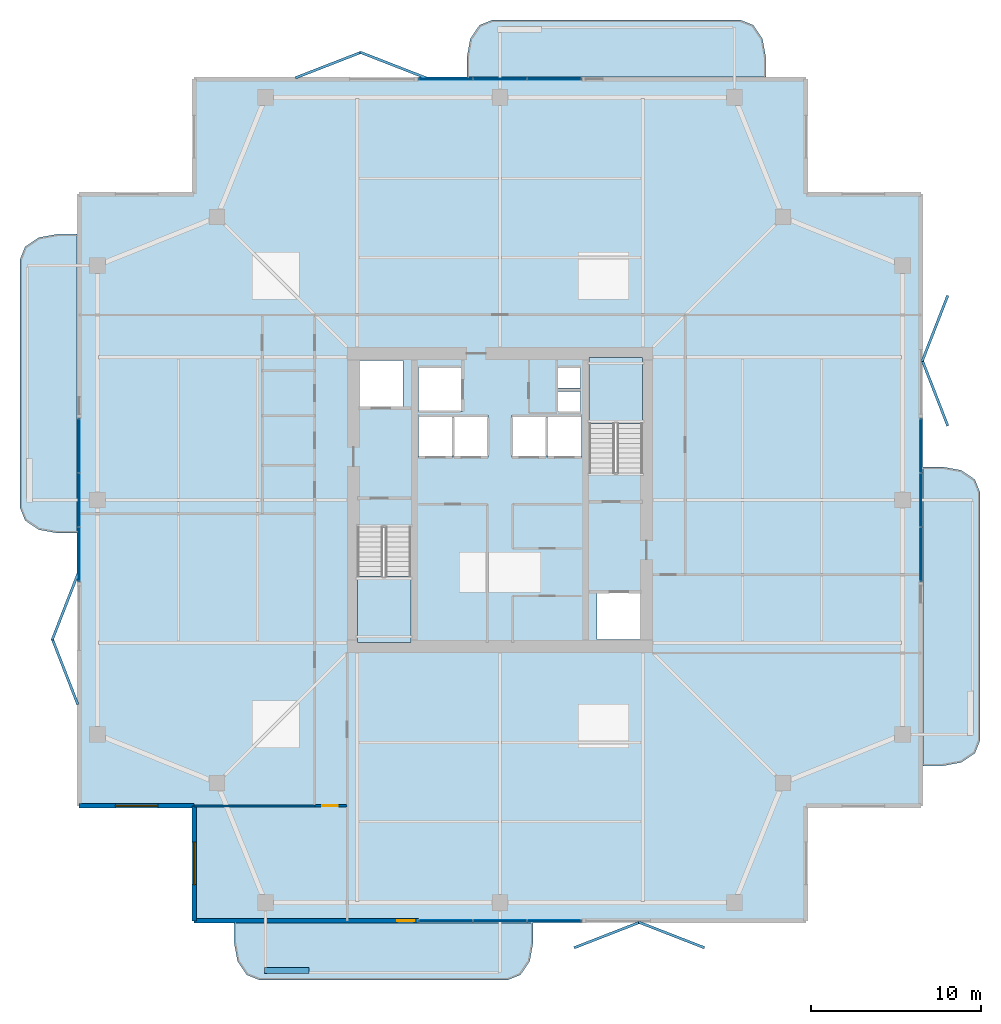
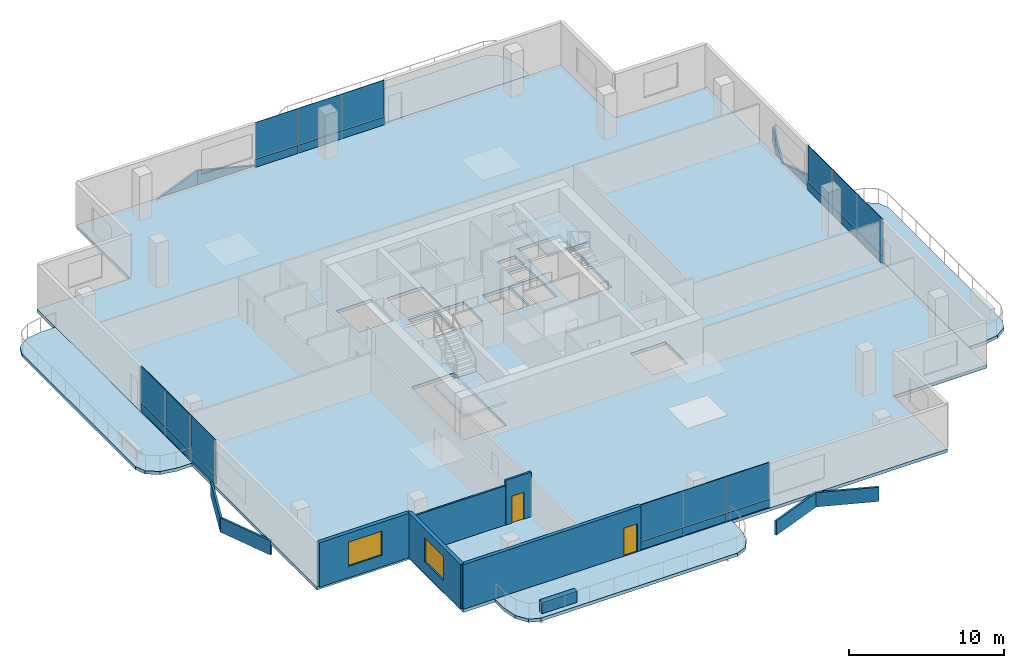
# One storey, part 17 of 23: 32 plates, 7 slabs, 6 walls, 2 doors, 2 windows, 4 openings, 6 elements without a shape of their own.
"""IFC4 building model written with IfcOpenShell, lengths in metres."""

import ifcopenshell
import ifcopenshell.guid

model = None  # the IFC model being written
_history = None  # IfcOwnerHistory: only IFC2X3 demands one
_inside = {}  # id of a spatial element -> (the spatial element, [elements in it])
_under = {}  # id of a project, library or spatial element -> (it, [spatial elements below it])
_declared = {}  # id of a project -> (the project, [libraries it declares])
_typed = {}  # id of a type object -> (the type object, [elements of that type])
_made_of = {}  # id of a material, layer set ... -> (it, [elements and type objects made of it])


def new_model(schema):
    """Start an empty IFC model of exactly this schema.

    Asked for "IFC4X3", IfcOpenShell would pick the latest addendum, in which some entities
    have other attributes; the version numbers below select the first issue.
    IFC2X3 requires an IfcOwnerHistory on every rooted entity: one is made here for all.
    """
    global model, _history
    if schema == "IFC4X3":
        model = ifcopenshell.file(schema_version=(4, 3, 0, 0))
    else:
        model = ifcopenshell.file(schema=schema)
    _inside.clear()
    _under.clear()
    _declared.clear()
    _typed.clear()
    _made_of.clear()
    _history = None
    if model.schema == "IFC2X3":
        org = make("IfcOrganization", Name="unknown")
        user = make(
            "IfcPersonAndOrganization",
            ThePerson=make("IfcPerson", FamilyName="unknown"),
            TheOrganization=org,
        )
        app = make(
            "IfcApplication",
            ApplicationDeveloper=org,
            Version="unknown",
            ApplicationFullName="unknown",
            ApplicationIdentifier="unknown",
        )
        _history = make(
            "IfcOwnerHistory",
            OwningUser=user,
            OwningApplication=app,
            ChangeAction="ADDED",
            CreationDate=0,
        )
    return model


def make(cls, **values):
    """One entity of the class cls with the attributes given. An attribute that is None is left unset."""
    return model.create_entity(
        cls, **{name: value for name, value in values.items() if value is not None}
    )


def rooted(cls, **values):
    """An entity with a GlobalId (a new one), such as an element, a storey or a relation."""
    return make(cls, GlobalId=ifcopenshell.guid.new(), OwnerHistory=_history, **values)


def si_unit(unit_type, name, prefix=None):
    """IfcSIUnit, for example si_unit("LENGTHUNIT", "METRE", prefix="MILLI")."""
    return make("IfcSIUnit", UnitType=unit_type, Prefix=prefix, Name=name)


def assignment(units):
    """IfcUnitAssignment: the units of a project."""
    return None if units is None else make("IfcUnitAssignment", Units=units)


def point(xyz):
    """IfcCartesianPoint."""
    return None if xyz is None else make("IfcCartesianPoint", Coordinates=xyz)


def direction(xyz):
    """IfcDirection."""
    return None if xyz is None else make("IfcDirection", DirectionRatios=xyz)


def frame(location, z_axis=None, x_axis=None):
    """IfcAxis2Placement3D, a coordinate frame: its origin and axes. An axis left out is left unset."""
    return make(
        "IfcAxis2Placement3D",
        Location=point(location),
        Axis=direction(z_axis),
        RefDirection=direction(x_axis),
    )


def frame_2d(location, x_axis=None):
    """IfcAxis2Placement2D, a coordinate frame in the plane: its origin and x axis."""
    return make(
        "IfcAxis2Placement2D", Location=point(location), RefDirection=direction(x_axis)
    )


def origin():
    """The frame at (0, 0, 0) with its axes left unset."""
    return frame((0.0, 0.0, 0.0))


def origin_2d():
    """The frame at (0, 0) in the plane with its x axis left unset."""
    return frame_2d((0.0, 0.0))


def place(relative_to, where):
    """IfcLocalPlacement: puts the frame where relative to a parent placement (None: the world)."""
    return make(
        "IfcLocalPlacement", PlacementRelTo=relative_to, RelativePlacement=where
    )


def context(
    kind, dimensions, precision=None, world=None, true_north=None, identifier=None
):
    """IfcGeometricRepresentationContext, for example the 3D "Model" context."""
    return make(
        "IfcGeometricRepresentationContext",
        ContextIdentifier=identifier,
        ContextType=kind,
        CoordinateSpaceDimension=dimensions,
        Precision=precision,
        WorldCoordinateSystem=world,
        TrueNorth=true_north,
    )


def subcontext(parent, identifier, kind, view, scale=None):
    """IfcGeometricRepresentationSubContext, for example "Body" below "Model"."""
    return make(
        "IfcGeometricRepresentationSubContext",
        ContextIdentifier=identifier,
        ContextType=kind,
        ParentContext=parent,
        TargetScale=scale,
        TargetView=view,
    )


def project(units=None, contexts=None):
    """IfcProject with its units and contexts."""
    return rooted(
        "IfcProject",
        Name="project",
        RepresentationContexts=contexts,
        UnitsInContext=assignment(units),
    )


def spatial(cls, under=None, at=None, **own):
    """A site, building, storey or space (cls), placed at a placement, below another one or the project."""
    s = rooted(cls, ObjectPlacement=at, **own)
    if under is not None:
        _under.setdefault(under.id(), (under, []))[1].append(s)
    return s


def polyline(points):
    """IfcPolyline through the points."""
    return make("IfcPolyline", Points=[point(p) for p in points])


def profile(cls, at=None, kind="AREA", **sizes):
    """A parametric profile (cls). Its sizes go by their IFC names, for example OverallWidth=200.0."""
    return make(cls, ProfileType=kind, Position=at, **sizes)


def rectangle(**sizes):
    """IfcRectangleProfileDef."""
    return profile("IfcRectangleProfileDef", **sizes)


def outline(outer, holes=None, kind="AREA"):
    """IfcArbitraryClosedProfileDef: a profile drawn as a closed curve; with holes, ...WithVoids."""
    if holes is None:
        return make("IfcArbitraryClosedProfileDef", ProfileType=kind, OuterCurve=outer)
    return make(
        "IfcArbitraryProfileDefWithVoids",
        ProfileType=kind,
        OuterCurve=outer,
        InnerCurves=holes,
    )


def extrude(swept, where, along, depth):
    """IfcExtrudedAreaSolid: the profile swept, set in the frame where, extruded along a direction by depth."""
    return make(
        "IfcExtrudedAreaSolid",
        SweptArea=swept,
        Position=where,
        ExtrudedDirection=direction(along),
        Depth=depth,
    )


def shape(context_of_items, identifier, shape_type, items):
    """IfcShapeRepresentation: the items that make up one representation, for example the "Body"."""
    return make(
        "IfcShapeRepresentation",
        ContextOfItems=context_of_items,
        RepresentationIdentifier=identifier,
        RepresentationType=shape_type,
        Items=items,
    )


def material(Name=None, Category=None):
    """IfcMaterial."""
    return make("IfcMaterial", Name=Name, Category=Category)


def layer(
    of_material, thickness, ventilated=None, Name=None, Category=None, Priority=None
):
    """IfcMaterialLayer: one layer of a wall or slab, of a material (None: an air gap)."""
    return make(
        "IfcMaterialLayer",
        Material=of_material,
        LayerThickness=thickness,
        IsVentilated=ventilated,
        Name=Name,
        Category=Category,
        Priority=Priority,
    )


def layer_set(layers, Name=None):
    """IfcMaterialLayerSet."""
    return make("IfcMaterialLayerSet", MaterialLayers=layers, LayerSetName=Name)


def made_of(thing, what):
    """Note that an element or type object is made of a material, layer set ...; save() writes the relation."""
    if what is not None:
        _made_of.setdefault(what.id(), (what, []))[1].append(thing)
    return thing


def type_object(cls, material=None, **own):
    """A type object (cls), such as IfcWallType, which elements share."""
    return made_of(rooted(cls, **own), material)


def element(
    cls,
    number,
    at=None,
    inside=None,
    cuts=None,
    type_object=None,
    material=None,
    context=None,
    identifier="Body",
    shape_type=None,
    held_by="IfcProductDefinitionShape",
    body=None,
    shapes=None,
    **own,
):
    """One element of the class cls, such as IfcWall. Its Tag is "e" and its number.

    at: its placement. inside: the storey or other place that contains it. cuts: it is an
    opening in that element (IfcRelVoidsElement). A single representation is given by context,
    identifier, shape_type and body (its items); several are given by shapes. held_by: the class
    of the entity that holds the representations. save() writes the other relations.
    """
    e = rooted(cls, Tag="e%d" % number, ObjectPlacement=at, **own)
    if body is not None:
        shapes = [shape(context, identifier, shape_type, body)]
    if shapes is not None:
        e.Representation = make(held_by, Representations=shapes)
    if inside is not None:
        _inside.setdefault(inside.id(), (inside, []))[1].append(e)
    if cuts is not None:
        rooted(
            "IfcRelVoidsElement", RelatingBuildingElement=cuts, RelatedOpeningElement=e
        )
    if type_object is not None:
        _typed.setdefault(type_object.id(), (type_object, []))[1].append(e)
    return made_of(e, material)


def fill(opening, filler):
    """IfcRelFillsElement: the door or window that sits in an opening."""
    return rooted(
        "IfcRelFillsElement",
        RelatingOpeningElement=opening,
        RelatedBuildingElement=filler,
    )


def aggregate(whole, parts):
    """IfcRelAggregates: a whole, such as a stair, and the parts it consists of."""
    return rooted("IfcRelAggregates", RelatingObject=whole, RelatedObjects=parts)


def save(model, path):
    """Write the relations noted so far, then the file.

    IfcRelAggregates (storeys below a building ...), IfcRelContainedInSpatialStructure (elements
    in a storey), IfcRelDefinesByType, IfcRelAssociatesMaterial and IfcRelDeclares: one each for
    every whole, place, type object, material and project.
    """
    for whole, parts in _under.values():
        aggregate(whole, parts)
    for where, things in _inside.values():
        rooted(
            "IfcRelContainedInSpatialStructure",
            RelatedElements=things,
            RelatingStructure=where,
        )
    for kind, things in _typed.values():
        rooted("IfcRelDefinesByType", RelatedObjects=things, RelatingType=kind)
    for what, things in _made_of.values():
        rooted("IfcRelAssociatesMaterial", RelatedObjects=things, RelatingMaterial=what)
    for by, libraries in _declared.values():
        rooted("IfcRelDeclares", RelatingContext=by, RelatedDefinitions=libraries)
    model.write(path)


model = new_model("IFC4")

# Units and contexts
model_context = context("Model", 3, precision=1e-05, world=origin(), true_north=direction((0.0, 1.0)))
body_context = subcontext(model_context, "Body", "Model", "MODEL_VIEW")
ifc_project = project(units=[si_unit("LENGTHUNIT", "METRE"), si_unit("AREAUNIT", "SQUARE_METRE"), si_unit("VOLUMEUNIT", "CUBIC_METRE"), si_unit("PLANEANGLEUNIT", "RADIAN"), si_unit("MASSUNIT", "GRAM", prefix="KILO")], contexts=[model_context])

# Site, building, storey
site_placement = place(None, origin())
site = spatial("IfcSite", under=ifc_project, at=site_placement, CompositionType="ELEMENT")
building_placement = place(site_placement, origin())
building = spatial("IfcBuilding", under=site, at=building_placement, Name="Belovzor Exchange Tower", CompositionType="ELEMENT")
storey_placement = place(building_placement, frame((0.0, 0.0, 276.60009765625)))
storey = spatial("IfcBuildingStorey", under=building, at=storey_placement, Name="L69", CompositionType="ELEMENT", Elevation=276.60009765625)

# Slab
ifc_material_1 = material(Name="Concrete C40/50", Category="concrete")
ifc_layer_1 = layer(ifc_material_1, 0.25)
ifc_layer_set_1 = layer_set([ifc_layer_1], Name="Concrete C40/50")
slab_type_1 = type_object("IfcSlabType", Name="Composite Concrete Floor Deck Slab 250", PredefinedType="FLOOR", material=ifc_layer_set_1)
slab_1_placement = place(storey_placement, frame((0.0, 0.0, -0.25)))
element("IfcSlab", 1, at=slab_1_placement, inside=storey, type_object=slab_type_1, Name="SL-F250 Structural Slab L69", PredefinedType="FLOOR", context=body_context, shape_type="SweptSolid", body=[
    extrude(outline(polyline([(10.800048828125, 3.89990234375), (46.800048828125, 3.89990234375), (46.800048828125, 10.800048828125), (53.699951171875, 10.800048828125), (53.699951171875, 46.800048828125), (46.800048828125, 46.800048828125), (46.800048828125, 53.699951171875), (10.800048828125, 53.699951171875), (10.800048828125, 46.800048828125), (3.89990234375, 46.800048828125), (3.89990234375, 10.800048828125), (10.800048828125, 10.800048828125), (10.800048828125, 3.89990234375)]), holes=[polyline([(20.39990234375, 27.175048828125), (20.39990234375, 20.39990234375), (23.550048828125, 20.39990234375), (23.550048828125, 27.175048828125), (20.39990234375, 27.175048828125)]), polyline([(37.199951171875, 30.425048828125), (37.199951171875, 37.199951171875), (34.050048828125, 37.199951171875), (34.050048828125, 30.425048828125), (37.199951171875, 30.425048828125)]), polyline([(20.5, 34.199951171875), (23.10009765625, 34.199951171875), (23.10009765625, 37.0), (20.5, 37.0), (20.5, 34.199951171875)]), polyline([(34.5, 20.60009765625), (37.10009765625, 20.60009765625), (37.10009765625, 23.39990234375), (34.5, 23.39990234375), (34.5, 20.60009765625)]), polyline([(24.0, 34.0), (26.60009765625, 34.0), (26.60009765625, 36.60009765625), (24.0, 36.60009765625), (24.0, 34.0)]), polyline([(24.0, 31.300048828125), (26.0, 31.300048828125), (26.0, 33.800048828125), (24.0, 33.800048828125), (24.0, 31.300048828125)]), polyline([(26.10009765625, 31.300048828125), (28.10009765625, 31.300048828125), (28.10009765625, 33.800048828125), (26.10009765625, 33.800048828125), (26.10009765625, 31.300048828125)]), polyline([(29.5, 31.300048828125), (31.5, 31.300048828125), (31.5, 33.800048828125), (29.5, 33.800048828125), (29.5, 31.300048828125)]), polyline([(31.60009765625, 31.300048828125), (33.60009765625, 31.300048828125), (33.60009765625, 33.800048828125), (31.60009765625, 33.800048828125), (31.60009765625, 31.300048828125)]), polyline([(32.199951171875, 34.0), (33.550048828125, 34.0), (33.550048828125, 35.199951171875), (32.199951171875, 35.199951171875), (32.199951171875, 34.0)]), polyline([(32.199951171875, 35.39990234375), (33.550048828125, 35.39990234375), (33.550048828125, 36.60009765625), (32.199951171875, 36.60009765625), (32.199951171875, 35.39990234375)])]), origin(), (0.0, 0.0, 1.0), 0.25),
])

# Curtain wall, plates
ifc_material_2 = material(Name="Anodised Aluminium Framing", Category="aluminium")
ifc_layer_2 = layer(ifc_material_2, 0.179931640625)
ifc_layer_set_2 = layer_set([ifc_layer_2], Name="Anodised Aluminium Framing")
curtain_wall_type = type_object("IfcCurtainWallType", Name="Recessed Loggia Low-Iron Triple-Glazed Curtain Wall", PredefinedType="NOTDEFINED", material=ifc_layer_set_2)
curtain_wall_1_placement = place(storey_placement, origin())
curtain_wall_1 = element("IfcCurtainWall", 2, at=curtain_wall_1_placement, inside=storey, type_object=curtain_wall_type, Name="CW3 Recessed Loggia Low-Iron Triple-Glazed Curtain Wall L69", PredefinedType="NOTDEFINED")
ifc_material_3 = material(Name="Solar-Control Triple Glazing", Category="glass")
ifc_layer_3 = layer(ifc_material_3, 0.0439453125)
ifc_layer_set_3 = layer_set([ifc_layer_3], Name="Solar-Control Triple Glazing")
plate_type_1 = type_object("IfcPlateType", Name="Insulated Solar Glazing Curtain Panel 44", PredefinedType="CURTAIN_PANEL", material=ifc_layer_set_3)
plate_1_placement = place(storey_placement, frame((32.0, 4.030029296875, 0.6318359375), z_axis=(0.0, 0.0, 1.0), x_axis=(-1.0, 0.0, 0.0)))
plate_1 = element("IfcPlate", 3, at=plate_1_placement, type_object=plate_type_1, Name="GLZ-44 Glazed Curtain Panel 1", PredefinedType="CURTAIN_PANEL", context=body_context, shape_type="SweptSolid", body=[
    extrude(rectangle(XDim=3.18408203125, YDim=0.0439453125, at=origin_2d()), origin(), (0.0, 0.0, 1.0), 2.867919921875),
])
plate_2_placement = place(storey_placement, frame((28.800048828125, 4.030029296875, 0.6318359375), z_axis=(0.0, 0.0, 1.0), x_axis=(-1.0, 0.0, 0.0)))
plate_2 = element("IfcPlate", 4, at=plate_2_placement, type_object=plate_type_1, Name="GLZ-44 Glazed Curtain Panel 2", PredefinedType="CURTAIN_PANEL", context=body_context, shape_type="SweptSolid", body=[
    extrude(rectangle(XDim=3.18408203125, YDim=0.0439453125, at=origin_2d()), origin(), (0.0, 0.0, 1.0), 2.867919921875),
])
plate_3_placement = place(storey_placement, frame((25.60009765625, 4.030029296875, 0.6318359375), z_axis=(0.0, 0.0, 1.0), x_axis=(-1.0, 0.0, 0.0)))
plate_3 = element("IfcPlate", 5, at=plate_3_placement, type_object=plate_type_1, Name="GLZ-44 Glazed Curtain Panel 3", PredefinedType="CURTAIN_PANEL", context=body_context, shape_type="SweptSolid", body=[
    extrude(rectangle(XDim=3.18408203125, YDim=0.0439453125, at=origin_2d()), origin(), (0.0, 0.0, 1.0), 2.867919921875),
])

curtain_wall_2_placement = place(storey_placement, origin())
curtain_wall_2 = element("IfcCurtainWall", 6, at=curtain_wall_2_placement, inside=storey, type_object=curtain_wall_type, Name="CW3 Recessed Loggia Low-Iron Triple-Glazed Curtain Wall L69", PredefinedType="NOTDEFINED")
plate_4_placement = place(storey_placement, frame((25.60009765625, 53.570068359375, 0.6318359375), z_axis=(0.0, 0.0, 1.0), x_axis=(1.0, 0.0, 0.0)))
plate_4 = element("IfcPlate", 7, at=plate_4_placement, type_object=plate_type_1, Name="GLZ-44 Glazed Curtain Panel 1", PredefinedType="CURTAIN_PANEL", context=body_context, shape_type="SweptSolid", body=[
    extrude(rectangle(XDim=3.18408203125, YDim=0.0439453125, at=origin_2d()), origin(), (0.0, 0.0, 1.0), 2.867919921875),
])
plate_5_placement = place(storey_placement, frame((28.800048828125, 53.570068359375, 0.6318359375), z_axis=(0.0, 0.0, 1.0), x_axis=(1.0, 0.0, 0.0)))
plate_5 = element("IfcPlate", 8, at=plate_5_placement, type_object=plate_type_1, Name="GLZ-44 Glazed Curtain Panel 2", PredefinedType="CURTAIN_PANEL", context=body_context, shape_type="SweptSolid", body=[
    extrude(rectangle(XDim=3.18408203125, YDim=0.0439453125, at=origin_2d()), origin(), (0.0, 0.0, 1.0), 2.867919921875),
])
plate_6_placement = place(storey_placement, frame((32.0, 53.570068359375, 0.6318359375), z_axis=(0.0, 0.0, 1.0), x_axis=(1.0, 0.0, 0.0)))
plate_6 = element("IfcPlate", 9, at=plate_6_placement, type_object=plate_type_1, Name="GLZ-44 Glazed Curtain Panel 3", PredefinedType="CURTAIN_PANEL", context=body_context, shape_type="SweptSolid", body=[
    extrude(rectangle(XDim=3.18408203125, YDim=0.0439453125, at=origin_2d()), origin(), (0.0, 0.0, 1.0), 2.867919921875),
])

curtain_wall_3_placement = place(storey_placement, origin())
curtain_wall_3 = element("IfcCurtainWall", 10, at=curtain_wall_3_placement, inside=storey, type_object=curtain_wall_type, Name="CW3 Recessed Loggia Low-Iron Triple-Glazed Curtain Wall L69", PredefinedType="NOTDEFINED")
plate_7_placement = place(storey_placement, frame((4.030029296875, 25.60009765625, 0.6318359375), z_axis=(0.0, 0.0, 1.0), x_axis=(0.0, 1.0, 0.0)))
plate_7 = element("IfcPlate", 11, at=plate_7_placement, type_object=plate_type_1, Name="GLZ-44 Glazed Curtain Panel 1", PredefinedType="CURTAIN_PANEL", context=body_context, shape_type="SweptSolid", body=[
    extrude(rectangle(XDim=3.18408203125, YDim=0.0439453125, at=origin_2d()), origin(), (0.0, 0.0, 1.0), 2.867919921875),
])
plate_8_placement = place(storey_placement, frame((4.030029296875, 28.800048828125, 0.6318359375), z_axis=(0.0, 0.0, 1.0), x_axis=(0.0, 1.0, 0.0)))
plate_8 = element("IfcPlate", 12, at=plate_8_placement, type_object=plate_type_1, Name="GLZ-44 Glazed Curtain Panel 2", PredefinedType="CURTAIN_PANEL", context=body_context, shape_type="SweptSolid", body=[
    extrude(rectangle(XDim=3.18408203125, YDim=0.0439453125, at=origin_2d()), origin(), (0.0, 0.0, 1.0), 2.867919921875),
])
plate_9_placement = place(storey_placement, frame((4.030029296875, 32.0, 0.6318359375), z_axis=(0.0, 0.0, 1.0), x_axis=(0.0, 1.0, 0.0)))
plate_9 = element("IfcPlate", 13, at=plate_9_placement, type_object=plate_type_1, Name="GLZ-44 Glazed Curtain Panel 3", PredefinedType="CURTAIN_PANEL", context=body_context, shape_type="SweptSolid", body=[
    extrude(rectangle(XDim=3.18408203125, YDim=0.0439453125, at=origin_2d()), origin(), (0.0, 0.0, 1.0), 2.867919921875),
])

curtain_wall_4_placement = place(storey_placement, origin())
curtain_wall_4 = element("IfcCurtainWall", 14, at=curtain_wall_4_placement, inside=storey, type_object=curtain_wall_type, Name="CW3 Recessed Loggia Low-Iron Triple-Glazed Curtain Wall L69", PredefinedType="NOTDEFINED")
plate_10_placement = place(storey_placement, frame((53.570068359375, 32.0, 0.6318359375), z_axis=(0.0, 0.0, 1.0), x_axis=(0.0, -1.0, 0.0)))
plate_10 = element("IfcPlate", 15, at=plate_10_placement, type_object=plate_type_1, Name="GLZ-44 Glazed Curtain Panel 1", PredefinedType="CURTAIN_PANEL", context=body_context, shape_type="SweptSolid", body=[
    extrude(rectangle(XDim=3.18408203125, YDim=0.0439453125, at=origin_2d()), origin(), (0.0, 0.0, 1.0), 2.867919921875),
])
plate_11_placement = place(storey_placement, frame((53.570068359375, 28.800048828125, 0.6318359375), z_axis=(0.0, 0.0, 1.0), x_axis=(0.0, -1.0, 0.0)))
plate_11 = element("IfcPlate", 16, at=plate_11_placement, type_object=plate_type_1, Name="GLZ-44 Glazed Curtain Panel 2", PredefinedType="CURTAIN_PANEL", context=body_context, shape_type="SweptSolid", body=[
    extrude(rectangle(XDim=3.18408203125, YDim=0.0439453125, at=origin_2d()), origin(), (0.0, 0.0, 1.0), 2.867919921875),
])
plate_12_placement = place(storey_placement, frame((53.570068359375, 25.60009765625, 0.6318359375), z_axis=(0.0, 0.0, 1.0), x_axis=(0.0, -1.0, 0.0)))
plate_12 = element("IfcPlate", 17, at=plate_12_placement, type_object=plate_type_1, Name="GLZ-44 Glazed Curtain Panel 3", PredefinedType="CURTAIN_PANEL", context=body_context, shape_type="SweptSolid", body=[
    extrude(rectangle(XDim=3.18408203125, YDim=0.0439453125, at=origin_2d()), origin(), (0.0, 0.0, 1.0), 2.867919921875),
])

# Stair, slab
ifc_material_4 = material(Name="Concrete C40/50", Category="concrete")
stair_type = type_object("IfcStairType", Name="Reinforced Concrete Dogleg Escape Stair 1350", PredefinedType="HALF_TURN_STAIR", material=ifc_material_4)
stair_1_placement = place(storey_placement, origin())
stair_1 = element("IfcStair", 18, at=stair_1_placement, inside=storey, type_object=stair_type, Name="L69 ST-1", PredefinedType="HALF_TURN_STAIR")
ifc_material_5 = material(Name="Concrete C40/50", Category="concrete")
ifc_layer_4 = layer(ifc_material_5, 0.199951171875)
ifc_layer_set_4 = layer_set([ifc_layer_4], Name="Concrete C40/50")
slab_type_2 = type_object("IfcSlabType", Name="Reinforced Concrete Stair Half-Landing Slab 200", PredefinedType="LANDING", material=ifc_layer_set_4)
slab_2_placement = place(storey_placement, frame((0.0, 0.0, 1.6748046875)))
slab_2 = element("IfcSlab", 19, at=slab_2_placement, type_object=slab_type_2, Name="ST-1 landing 1", PredefinedType="LANDING", context=body_context, shape_type="SweptSolid", body=[
    extrude(outline(polyline([(20.39990234375, 24.300048828125), (20.39990234375, 20.39990234375), (23.550048828125, 20.39990234375), (23.550048828125, 24.300048828125), (20.39990234375, 24.300048828125)])), origin(), (0.0, 0.0, 1.0), 0.2001953125),
])
aggregate(stair_1, [slab_2])

stair_2_placement = place(storey_placement, origin())
stair_2 = element("IfcStair", 20, at=stair_2_placement, inside=storey, type_object=stair_type, Name="L69 ST-2", PredefinedType="HALF_TURN_STAIR")
slab_3_placement = place(storey_placement, frame((0.0, 0.0, 1.6748046875)))
slab_3 = element("IfcSlab", 21, at=slab_3_placement, type_object=slab_type_2, Name="ST-2 landing 1", PredefinedType="LANDING", context=body_context, shape_type="SweptSolid", body=[
    extrude(outline(polyline([(37.199951171875, 33.300048828125), (37.199951171875, 37.199951171875), (34.050048828125, 37.199951171875), (34.050048828125, 33.300048828125), (37.199951171875, 33.300048828125)])), origin(), (0.0, 0.0, 1.0), 0.2001953125),
])
aggregate(stair_2, [slab_3])

# Plate
ifc_material_6 = material(Name="Extruded Architectural Terracotta", Category="masonry")
ifc_layer_5 = layer(ifc_material_6, 0.090087890625)
ifc_layer_set_5 = layer_set([ifc_layer_5], Name="Extruded Architectural Terracotta")
plate_type_2 = type_object("IfcPlateType", Name="Terracotta Shadow-Box Spandrel Panel 90", PredefinedType="CURTAIN_PANEL", material=ifc_layer_set_5)
plate_13_placement = place(storey_placement, frame((32.0, 4.030029296875, 0.0), z_axis=(0.0, 0.0, 1.0), x_axis=(-1.0, 0.0, 0.0)))
plate_13 = element("IfcPlate", 22, at=plate_13_placement, type_object=plate_type_2, Name="SPD-90 Spandrel Panel 1", PredefinedType="CURTAIN_PANEL", context=body_context, shape_type="SweptSolid", body=[
    extrude(rectangle(XDim=3.18408203125, YDim=0.090087890625, at=origin_2d()), origin(), (0.0, 0.0, 1.0), 0.6279296875),
])

plate_14_placement = place(storey_placement, frame((28.800048828125, 4.030029296875, 0.0), z_axis=(0.0, 0.0, 1.0), x_axis=(-1.0, 0.0, 0.0)))
plate_14 = element("IfcPlate", 23, at=plate_14_placement, type_object=plate_type_2, Name="SPD-90 Spandrel Panel 2", PredefinedType="CURTAIN_PANEL", context=body_context, shape_type="SweptSolid", body=[
    extrude(rectangle(XDim=3.18408203125, YDim=0.090087890625, at=origin_2d()), origin(), (0.0, 0.0, 1.0), 0.6279296875),
])

plate_15_placement = place(storey_placement, frame((25.60009765625, 4.030029296875, 0.0), z_axis=(0.0, 0.0, 1.0), x_axis=(-1.0, 0.0, 0.0)))
plate_15 = element("IfcPlate", 24, at=plate_15_placement, type_object=plate_type_2, Name="SPD-90 Spandrel Panel 3", PredefinedType="CURTAIN_PANEL", context=body_context, shape_type="SweptSolid", body=[
    extrude(rectangle(XDim=3.18408203125, YDim=0.090087890625, at=origin_2d()), origin(), (0.0, 0.0, 1.0), 0.6279296875),
])

aggregate(curtain_wall_1, [plate_13, plate_1, plate_14, plate_2, plate_15, plate_3])

plate_16_placement = place(storey_placement, frame((25.60009765625, 53.570068359375, 0.0), z_axis=(0.0, 0.0, 1.0), x_axis=(1.0, 0.0, 0.0)))
plate_16 = element("IfcPlate", 25, at=plate_16_placement, type_object=plate_type_2, Name="SPD-90 Spandrel Panel 1", PredefinedType="CURTAIN_PANEL", context=body_context, shape_type="SweptSolid", body=[
    extrude(rectangle(XDim=3.18408203125, YDim=0.090087890625, at=origin_2d()), origin(), (0.0, 0.0, 1.0), 0.6279296875),
])

plate_17_placement = place(storey_placement, frame((28.800048828125, 53.570068359375, 0.0), z_axis=(0.0, 0.0, 1.0), x_axis=(1.0, 0.0, 0.0)))
plate_17 = element("IfcPlate", 26, at=plate_17_placement, type_object=plate_type_2, Name="SPD-90 Spandrel Panel 2", PredefinedType="CURTAIN_PANEL", context=body_context, shape_type="SweptSolid", body=[
    extrude(rectangle(XDim=3.18408203125, YDim=0.090087890625, at=origin_2d()), origin(), (0.0, 0.0, 1.0), 0.6279296875),
])

plate_18_placement = place(storey_placement, frame((32.0, 53.570068359375, 0.0), z_axis=(0.0, 0.0, 1.0), x_axis=(1.0, 0.0, 0.0)))
plate_18 = element("IfcPlate", 27, at=plate_18_placement, type_object=plate_type_2, Name="SPD-90 Spandrel Panel 3", PredefinedType="CURTAIN_PANEL", context=body_context, shape_type="SweptSolid", body=[
    extrude(rectangle(XDim=3.18408203125, YDim=0.090087890625, at=origin_2d()), origin(), (0.0, 0.0, 1.0), 0.6279296875),
])

aggregate(curtain_wall_2, [plate_16, plate_4, plate_17, plate_5, plate_18, plate_6])

plate_19_placement = place(storey_placement, frame((4.030029296875, 25.60009765625, 0.0), z_axis=(0.0, 0.0, 1.0), x_axis=(0.0, 1.0, 0.0)))
plate_19 = element("IfcPlate", 28, at=plate_19_placement, type_object=plate_type_2, Name="SPD-90 Spandrel Panel 1", PredefinedType="CURTAIN_PANEL", context=body_context, shape_type="SweptSolid", body=[
    extrude(rectangle(XDim=3.18408203125, YDim=0.090087890625, at=origin_2d()), origin(), (0.0, 0.0, 1.0), 0.6279296875),
])

plate_20_placement = place(storey_placement, frame((4.030029296875, 28.800048828125, 0.0), z_axis=(0.0, 0.0, 1.0), x_axis=(0.0, 1.0, 0.0)))
plate_20 = element("IfcPlate", 29, at=plate_20_placement, type_object=plate_type_2, Name="SPD-90 Spandrel Panel 2", PredefinedType="CURTAIN_PANEL", context=body_context, shape_type="SweptSolid", body=[
    extrude(rectangle(XDim=3.18408203125, YDim=0.090087890625, at=origin_2d()), origin(), (0.0, 0.0, 1.0), 0.6279296875),
])

plate_21_placement = place(storey_placement, frame((4.030029296875, 32.0, 0.0), z_axis=(0.0, 0.0, 1.0), x_axis=(0.0, 1.0, 0.0)))
plate_21 = element("IfcPlate", 30, at=plate_21_placement, type_object=plate_type_2, Name="SPD-90 Spandrel Panel 3", PredefinedType="CURTAIN_PANEL", context=body_context, shape_type="SweptSolid", body=[
    extrude(rectangle(XDim=3.18408203125, YDim=0.090087890625, at=origin_2d()), origin(), (0.0, 0.0, 1.0), 0.6279296875),
])

aggregate(curtain_wall_3, [plate_19, plate_7, plate_20, plate_8, plate_21, plate_9])

plate_22_placement = place(storey_placement, frame((53.570068359375, 32.0, 0.0), z_axis=(0.0, 0.0, 1.0), x_axis=(0.0, -1.0, 0.0)))
plate_22 = element("IfcPlate", 31, at=plate_22_placement, type_object=plate_type_2, Name="SPD-90 Spandrel Panel 1", PredefinedType="CURTAIN_PANEL", context=body_context, shape_type="SweptSolid", body=[
    extrude(rectangle(XDim=3.18408203125, YDim=0.090087890625, at=origin_2d()), origin(), (0.0, 0.0, 1.0), 0.6279296875),
])

plate_23_placement = place(storey_placement, frame((53.570068359375, 28.800048828125, 0.0), z_axis=(0.0, 0.0, 1.0), x_axis=(0.0, -1.0, 0.0)))
plate_23 = element("IfcPlate", 32, at=plate_23_placement, type_object=plate_type_2, Name="SPD-90 Spandrel Panel 2", PredefinedType="CURTAIN_PANEL", context=body_context, shape_type="SweptSolid", body=[
    extrude(rectangle(XDim=3.18408203125, YDim=0.090087890625, at=origin_2d()), origin(), (0.0, 0.0, 1.0), 0.6279296875),
])

plate_24_placement = place(storey_placement, frame((53.570068359375, 25.60009765625, 0.0), z_axis=(0.0, 0.0, 1.0), x_axis=(0.0, -1.0, 0.0)))
plate_24 = element("IfcPlate", 33, at=plate_24_placement, type_object=plate_type_2, Name="SPD-90 Spandrel Panel 3", PredefinedType="CURTAIN_PANEL", context=body_context, shape_type="SweptSolid", body=[
    extrude(rectangle(XDim=3.18408203125, YDim=0.090087890625, at=origin_2d()), origin(), (0.0, 0.0, 1.0), 0.6279296875),
])

aggregate(curtain_wall_4, [plate_22, plate_10, plate_23, plate_11, plate_24, plate_12])

# Slabs
ifc_material_7 = material(Name="Concrete C40/50", Category="concrete")
ifc_layer_6 = layer(ifc_material_7, 0.25)
ifc_layer_set_6 = layer_set([ifc_layer_6], Name="Concrete C40/50")
slab_type_3 = type_object("IfcSlabType", Name="Thermally Broken Planted Balcony Slab 250", PredefinedType="FLOOR", material=ifc_layer_set_6)
slab_4_placement = place(storey_placement, frame((0.0, 0.0, -0.25)))
element("IfcSlab", 34, at=slab_4_placement, inside=storey, type_object=slab_type_3, Name="SL-BAL220 Planted Balcony Loggia L69 South", PredefinedType="FLOOR", context=body_context, shape_type="SweptSolid", body=[
    extrude(outline(polyline([(13.14990234375, 3.9150390625), (13.14990234375, 2.75), (13.35107421875, 1.64990234375), (13.89990234375, 0.844970703125), (14.64990234375, 0.550048828125), (29.25, 0.550048828125), (30.0, 0.844970703125), (30.549072265625, 1.64990234375), (30.75, 2.75), (30.75, 3.9150390625), (13.14990234375, 3.9150390625)])), origin(), (0.0, 0.0, 1.0), 0.25),
])
slab_5_placement = place(storey_placement, frame((0.0, 0.0, -0.25)))
element("IfcSlab", 35, at=slab_5_placement, inside=storey, type_object=slab_type_3, Name="SL-BAL220 Planted Balcony Loggia L69 North", PredefinedType="FLOOR", context=body_context, shape_type="SweptSolid", body=[
    extrude(outline(polyline([(44.449951171875, 53.68505859375), (44.449951171875, 54.85009765625), (44.2490234375, 55.949951171875), (43.699951171875, 56.7548828125), (42.949951171875, 57.050048828125), (28.35009765625, 57.050048828125), (27.60009765625, 56.7548828125), (27.051025390625, 55.949951171875), (26.85009765625, 54.85009765625), (26.85009765625, 53.68505859375), (44.449951171875, 53.68505859375)])), origin(), (0.0, 0.0, 1.0), 0.25),
])
slab_6_placement = place(storey_placement, frame((0.0, 0.0, -0.25)))
element("IfcSlab", 36, at=slab_6_placement, inside=storey, type_object=slab_type_3, Name="SL-BAL220 Planted Balcony Loggia L69 East", PredefinedType="FLOOR", context=body_context, shape_type="SweptSolid", body=[
    extrude(outline(polyline([(53.68505859375, 13.14990234375), (54.85009765625, 13.14990234375), (55.949951171875, 13.35107421875), (56.7548828125, 13.89990234375), (57.050048828125, 14.64990234375), (57.050048828125, 29.25), (56.7548828125, 30.0), (55.949951171875, 30.549072265625), (54.85009765625, 30.75), (53.68505859375, 30.75), (53.68505859375, 13.14990234375)])), origin(), (0.0, 0.0, 1.0), 0.25),
])
slab_7_placement = place(storey_placement, frame((0.0, 0.0, -0.25)))
element("IfcSlab", 37, at=slab_7_placement, inside=storey, type_object=slab_type_3, Name="SL-BAL220 Planted Balcony Loggia L69 West", PredefinedType="FLOOR", context=body_context, shape_type="SweptSolid", body=[
    extrude(outline(polyline([(3.9150390625, 44.449951171875), (2.75, 44.449951171875), (1.64990234375, 44.2490234375), (0.844970703125, 43.699951171875), (0.550048828125, 42.949951171875), (0.550048828125, 28.35009765625), (0.844970703125, 27.60009765625), (1.64990234375, 27.051025390625), (2.75, 26.85009765625), (3.9150390625, 26.85009765625), (3.9150390625, 44.449951171875)])), origin(), (0.0, 0.0, 1.0), 0.25),
])

# Plates
ifc_material_8 = material(Name="Extruded Architectural Terracotta", Category="masonry")
ifc_layer_7 = layer(ifc_material_8, 0.14990234375)
ifc_layer_set_7 = layer_set([ifc_layer_7], Name="Extruded Architectural Terracotta")
plate_type_3 = type_object("IfcPlateType", Name="Upper-Crown Deep Folded Zigzag Terracotta Spandrel Louvre 150", PredefinedType="USERDEFINED", material=ifc_layer_set_7)
for number, where, z_axis, x_axis, name in (
    (38, (18.699951171875, 54.39990234375, -1.105224609375), (0.0, 0.0, 1.0), (0.931817969421, 0.362925986758, 0.0), "LVR-ZZ3 Zigzag Terracotta Spandrel Louvre L69 N1A"),
    (39, (22.5, 54.39990234375, -1.105224609375), (0.0, 0.0, 1.0), (0.931817969421, -0.362925986758, 0.0), "LVR-ZZ3 Zigzag Terracotta Spandrel Louvre L69 N1B"),
    (40, (3.199951171875, 18.699951171875, -1.105224609375), (0.0, 0.0, 1.0), (-0.362925986758, 0.931817969421, 0.0), "LVR-ZZ3 Zigzag Terracotta Spandrel Louvre L69 W1A"),
    (41, (3.199951171875, 22.5, -1.105224609375), (0.0, 0.0, 1.0), (0.362925986758, 0.931817969421, 0.0), "LVR-ZZ3 Zigzag Terracotta Spandrel Louvre L69 W1B"),
    (42, (35.10009765625, 3.199951171875, -1.105224609375), (0.0, 0.0, 1.0), (0.931817969421, 0.362925986758, 0.0), "LVR-ZZ3 Zigzag Terracotta Spandrel Louvre L69 S2A"),
    (43, (38.89990234375, 3.199951171875, -1.105224609375), (0.0, 0.0, 1.0), (0.931817969421, -0.362925986758, 0.0), "LVR-ZZ3 Zigzag Terracotta Spandrel Louvre L69 S2B"),
    (44, (54.39990234375, 35.10009765625, -1.105224609375), (0.0, 0.0, 1.0), (-0.362925986758, 0.931817969421, 0.0), "LVR-ZZ3 Zigzag Terracotta Spandrel Louvre L69 E2A"),
    (45, (54.39990234375, 38.89990234375, -1.105224609375), (0.0, 0.0, 1.0), (0.362925986758, 0.931817969421, 0.0), "LVR-ZZ3 Zigzag Terracotta Spandrel Louvre L69 E2B"),
):
    element("IfcPlate", number, at=place(storey_placement, frame(where, z_axis=z_axis, x_axis=x_axis)), inside=storey, type_object=plate_type_3, Name=name, ObjectType="SPANDREL_LOUVRE", PredefinedType="USERDEFINED", context=body_context, shape_type="SweptSolid", body=[
        extrude(rectangle(XDim=4.157958984375, YDim=0.14990234375, at=origin_2d()), origin(), (0.0, 0.0, 1.0), 1.1201171875),
    ])

# Wall
ifc_material_9 = material(Name="Acoustic Plasterboard on Galvanised Studs", Category="gypsum")
ifc_layer_8 = layer(ifc_material_9, 0.1201171875)
ifc_layer_set_8 = layer_set([ifc_layer_8], Name="Acoustic Plasterboard on Galvanised Studs")
wall_type_1 = type_object("IfcWallType", Name="Acoustic Double-Stud Partition Wall 120", PredefinedType="PARTITIONING", material=ifc_layer_set_8)
wall_1_placement = place(storey_placement, frame((10.800048828125, 10.800048828125, 0.0), z_axis=(0.0, 0.0, 1.0), x_axis=(1.0, 0.0, 0.0)))
element("IfcWall", 46, at=wall_1_placement, inside=storey, type_object=wall_type_1, Name="W-P120 Partition Wall W-L69-SWS", PredefinedType="PARTITIONING", context=body_context, shape_type="SweptSolid", body=[
    extrude(rectangle(XDim=7.099853515625, YDim=0.1201171875, at=frame_2d((3.5498046875, 0.0))), origin(), (0.0, 0.0, 1.0), 3.0849609375),
])

# Wall, opening, door
ifc_material_10 = material(Name="Fire-Rated Gypsum Block and Mineral Wool", Category="gypsum")
ifc_layer_9 = layer(ifc_material_10, 0.14990234375)
ifc_layer_set_9 = layer_set([ifc_layer_9], Name="Fire-Rated Gypsum Block and Mineral Wool")
wall_type_2 = type_object("IfcWallType", Name="Fire-Rated Gypsum Block Corridor Wall 150", PredefinedType="PARTITIONING", material=ifc_layer_set_9)
wall_2_placement = place(storey_placement, frame((17.89990234375, 10.800048828125, 0.0), z_axis=(0.0, 0.0, 1.0), x_axis=(1.0, 0.0, 0.0)))
wall_2 = element("IfcWall", 47, at=wall_2_placement, inside=storey, type_object=wall_type_2, Name="W-P150 Partition Wall W-L69-CW-END", PredefinedType="PARTITIONING", context=body_context, shape_type="SweptSolid", body=[
    extrude(rectangle(XDim=1.900146484375, YDim=0.14990234375, at=frame_2d((0.9501953125, 0.0))), origin(), (0.0, 0.0, 1.0), 3.5),
])
opening_1_placement = place(wall_2_placement, frame((0.449951171875, 0.0, 0.0)))
opening_1 = element("IfcOpeningElement", 48, at=opening_1_placement, cuts=wall_2, Name="Opening D-FD60-090", PredefinedType="OPENING", context=body_context, shape_type="SweptSolid", body=[
    extrude(rectangle(XDim=0.89990234375, YDim=2.10009765625, at=frame_2d((0.449951171875, 1.050048828125))), frame((0.0, 0.0849609375, 0.0), z_axis=(0.0, -1.0, 0.0), x_axis=(1.0, 0.0, 0.0)), (0.0, 0.0, 1.0), 0.169921875),
])
ifc_material_11 = material(Name="Acoustic Timber Fire Leaf", Category="wood")
door_type_1 = type_object("IfcDoorType", Name="Core Service & Restroom Fire Door 900x2100", OperationType="NOTDEFINED", PredefinedType="DOOR", material=ifc_material_11)
door_1_placement = place(opening_1_placement, origin())
door_1 = element("IfcDoor", 49, at=door_1_placement, inside=storey, type_object=door_type_1, Name="D-FD60-090 Core Service & Restroom Fire Door 900x2100", OperationType="SINGLE_SWING_LEFT", OverallHeight=2.10009765625, OverallWidth=0.89990234375, PredefinedType="DOOR", context=body_context, shape_type="SweptSolid", body=[
    extrude(rectangle(XDim=0.89990234375, YDim=2.10009765625, at=frame_2d((0.449951171875, 1.050048828125))), frame((0.0, 0.02490234375, 0.0), z_axis=(0.0, -1.0, 0.0), x_axis=(1.0, 0.0, 0.0)), (0.0, 0.0, 1.0), 0.050048828125),
])
fill(opening_1, door_1)

# Wall, opening, window
ifc_material_12 = material(Name="Precast concrete C40/50", Category="concrete")
ifc_layer_10 = layer(ifc_material_12, 0.280029296875)
ifc_layer_set_10 = layer_set([ifc_layer_10], Name="Precast concrete C40/50")
wall_type_3 = type_object("IfcWallType", Name="Precast Concrete Notched Corner Frame Wall 280", PredefinedType="SOLIDWALL", material=ifc_layer_set_10)
wall_3_placement = place(storey_placement, frame((10.800048828125, 4.030029296875, 0.0), z_axis=(0.0, 0.0, 1.0), x_axis=(0.0, 1.0, 0.0)))
wall_3 = element("IfcWall", 50, at=wall_3_placement, inside=storey, type_object=wall_type_3, Name="W-CRN280 Precast Concrete Notched Corner Frame Wall 280 L69", PredefinedType="SOLIDWALL", context=body_context, shape_type="SweptSolid", body=[
    extrude(rectangle(XDim=6.77001953125, YDim=0.280029296875, at=frame_2d((3.385009765625, 0.0))), origin(), (0.0, 0.0, 1.0), 3.5),
])
opening_2_placement = place(wall_3_placement, frame((2.135009765625, 0.0, 0.89990234375)))
opening_2 = element("IfcOpeningElement", 51, at=opening_2_placement, cuts=wall_3, Name="Opening WN-CRN250", PredefinedType="OPENING", context=body_context, shape_type="SweptSolid", body=[
    extrude(rectangle(XDim=2.5, YDim=1.89990234375, at=frame_2d((1.25, 0.949951171875))), frame((0.0, 0.14990234375, 0.0), z_axis=(0.0, -1.0, 0.0), x_axis=(1.0, 0.0, 0.0)), (0.0, 0.0, 1.0), 0.300048828125),
])
ifc_material_13 = material(Name="Thermally Broken Aluminium and Triple Glazing", Category="aluminium")
window_type = type_object("IfcWindowType", Name="Streamline Moderne Corner Wrap Ribbon Window 2500x1900", PartitioningType="SINGLE_PANEL", PredefinedType="WINDOW", material=ifc_material_13)
window_1_placement = place(opening_2_placement, origin())
window_1 = element("IfcWindow", 52, at=window_1_placement, inside=storey, type_object=window_type, Name="WN-CRN250 Streamline Moderne Corner Wrap Ribbon Window 2500x1900", OverallHeight=1.89990234375, OverallWidth=2.5, PartitioningType="SINGLE_PANEL", PredefinedType="WINDOW", context=body_context, shape_type="SweptSolid", body=[
    extrude(rectangle(XDim=2.5, YDim=1.89990234375, at=frame_2d((1.25, 0.949951171875))), frame((0.0, 0.030029296875, 0.0), z_axis=(0.0, -1.0, 0.0), x_axis=(1.0, 0.0, 0.0)), (0.0, 0.0, 1.0), 0.06005859375),
])
fill(opening_2, window_1)

wall_4_placement = place(storey_placement, frame((10.800048828125, 10.800048828125, 0.0), z_axis=(0.0, 0.0, 1.0), x_axis=(-1.0, 0.0, 0.0)))
wall_4 = element("IfcWall", 53, at=wall_4_placement, inside=storey, type_object=wall_type_3, Name="W-CRN280 Precast Concrete Notched Corner Frame Wall 280 L69", PredefinedType="SOLIDWALL", context=body_context, shape_type="SweptSolid", body=[
    extrude(rectangle(XDim=6.77001953125, YDim=0.280029296875, at=frame_2d((3.385009765625, 0.0))), origin(), (0.0, 0.0, 1.0), 3.5),
])
opening_3_placement = place(wall_4_placement, frame((2.135009765625, 0.0, 0.89990234375)))
opening_3 = element("IfcOpeningElement", 54, at=opening_3_placement, cuts=wall_4, Name="Opening WN-CRN250", PredefinedType="OPENING", context=body_context, shape_type="SweptSolid", body=[
    extrude(rectangle(XDim=2.5, YDim=1.89990234375, at=frame_2d((1.25, 0.949951171875))), frame((0.0, 0.14990234375, 0.0), z_axis=(0.0, -1.0, 0.0), x_axis=(1.0, 0.0, 0.0)), (0.0, 0.0, 1.0), 0.300048828125),
])
window_2_placement = place(opening_3_placement, origin())
window_2 = element("IfcWindow", 55, at=window_2_placement, inside=storey, type_object=window_type, Name="WN-CRN250 Streamline Moderne Corner Wrap Ribbon Window 2500x1900", OverallHeight=1.89990234375, OverallWidth=2.5, PartitioningType="SINGLE_PANEL", PredefinedType="WINDOW", context=body_context, shape_type="SweptSolid", body=[
    extrude(rectangle(XDim=2.5, YDim=1.89990234375, at=frame_2d((1.25, 0.949951171875))), frame((0.0, 0.030029296875, 0.0), z_axis=(0.0, -1.0, 0.0), x_axis=(1.0, 0.0, 0.0)), (0.0, 0.0, 1.0), 0.06005859375),
])
fill(opening_3, window_2)

# Wall, opening, door
ifc_material_14 = material(Name="Precast concrete C40/50", Category="concrete")
ifc_layer_11 = layer(ifc_material_14, 0.260009765625)
ifc_layer_set_11 = layer_set([ifc_layer_11], Name="Precast concrete C40/50")
wall_type_4 = type_object("IfcWallType", Name="Precast Concrete Perimeter Loggia Frame Wall 260", PredefinedType="SOLIDWALL", material=ifc_layer_set_11)
wall_5_placement = place(storey_placement, frame((24.0, 4.030029296875, 0.0), z_axis=(0.0, 0.0, 1.0), x_axis=(-1.0, 0.0, 0.0)))
wall_5 = element("IfcWall", 56, at=wall_5_placement, inside=storey, type_object=wall_type_4, Name="W-EXT260 Precast Concrete Perimeter Loggia Frame Wall 260 L69", PredefinedType="SOLIDWALL", context=body_context, shape_type="SweptSolid", body=[
    extrude(rectangle(XDim=13.199951171875, YDim=0.260009765625, at=frame_2d((6.60009765625, 0.0))), origin(), (0.0, 0.0, 1.0), 3.5),
])
opening_4_placement = place(wall_5_placement, frame((0.25, 0.0, 0.0)))
opening_4 = element("IfcOpeningElement", 57, at=opening_4_placement, cuts=wall_5, Name="Opening D-BAL100", PredefinedType="OPENING", context=body_context, shape_type="SweptSolid", body=[
    extrude(rectangle(XDim=1.0, YDim=2.199951171875, at=frame_2d((0.5, 1.10009765625))), frame((0.0, 0.139892578125, 0.0), z_axis=(0.0, -1.0, 0.0), x_axis=(1.0, 0.0, 0.0)), (0.0, 0.0, 1.0), 0.280029296875),
])
ifc_material_15 = material(Name="Thermally Broken Anodised Aluminium and Laminated Glass", Category="aluminium")
door_type_2 = type_object("IfcDoorType", Name="Planted Loggia Terrace Glazed Door 1000x2200", OperationType="SINGLE_SWING_LEFT", PredefinedType="DOOR", material=ifc_material_15)
door_2_placement = place(opening_4_placement, origin())
door_2 = element("IfcDoor", 58, at=door_2_placement, inside=storey, type_object=door_type_2, Name="D-BAL100 Balcony Terrace Door L69 S", OperationType="SINGLE_SWING_LEFT", OverallHeight=2.199951171875, OverallWidth=1.0, PredefinedType="DOOR", context=body_context, shape_type="SweptSolid", body=[
    extrude(rectangle(XDim=1.0, YDim=2.199951171875, at=frame_2d((0.5, 1.10009765625))), frame((0.0, 0.02490234375, 0.0), z_axis=(0.0, -1.0, 0.0), x_axis=(1.0, 0.0, 0.0)), (0.0, 0.0, 1.0), 0.050048828125),
])
fill(opening_4, door_2)

# Wall
ifc_material_16 = material(Name="Precast concrete C40/50", Category="concrete")
ifc_layer_12 = layer(ifc_material_16, 0.35009765625)
ifc_layer_set_12 = layer_set([ifc_layer_12], Name="Precast concrete C40/50")
wall_type_5 = type_object("IfcWallType", Name="Precast Concrete Structural Tree Planter Trough 350", PredefinedType="PARAPET", material=ifc_layer_set_12)
wall_6_placement = place(storey_placement, frame((14.949951171875, 1.10009765625, 0.0), z_axis=(0.0, 0.0, 1.0), x_axis=(1.0, 0.0, 0.0)))
element("IfcWall", 59, at=wall_6_placement, inside=storey, type_object=wall_type_5, Name="PT-350 Precast Concrete Structural Tree Planter Trough 350 L69", PredefinedType="PARAPET", context=body_context, shape_type="SweptSolid", body=[
    extrude(rectangle(XDim=2.60009765625, YDim=0.35009765625, at=frame_2d((1.300048828125, 0.0))), origin(), (0.0, 0.0, 1.0), 0.89990234375),
])

save(model, "model.ifc")
